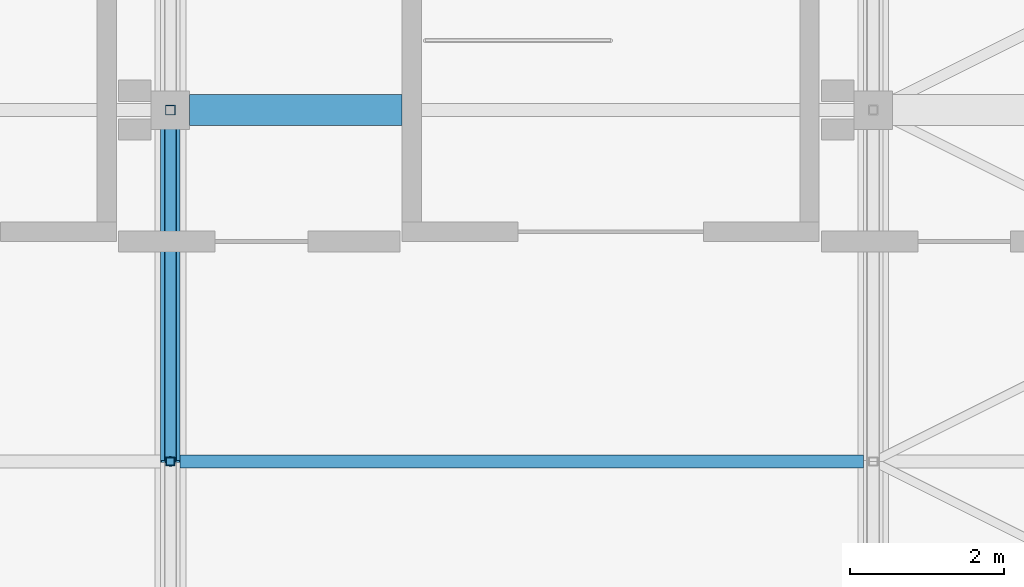
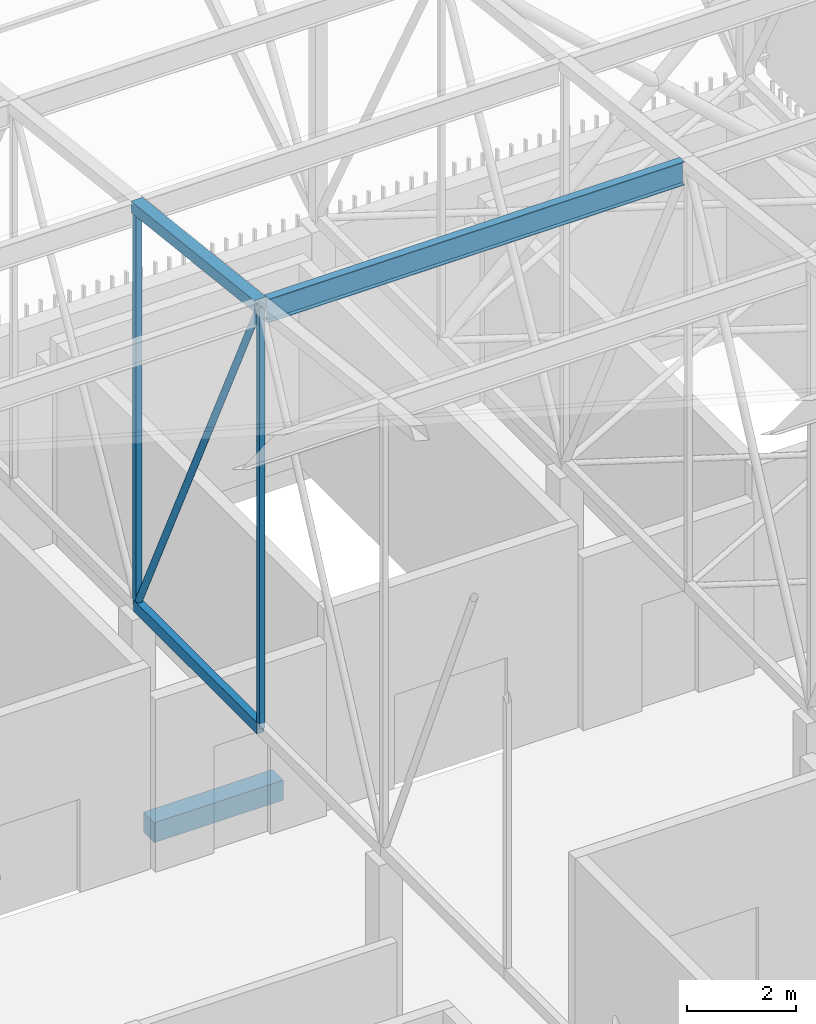
# One storey, part 395 of 500: 6 members, 1 beam.
"""IFC4 building model written with IfcOpenShell, lengths in metres."""

from ifc_helpers import new_model, si_unit, direction, frame, origin, origin_2d, place, context, subcontext, project, spatial, rectangle, hollow_rectangle, hollow_circle, i_section, extrude, material, material_profile, profile_set, type_object, element, save


model = new_model("IFC4")

# Units and contexts
model_context = context("Model", 3, precision=1e-05, world=origin(), true_north=direction((0.0, 1.0)))
body_context = subcontext(model_context, "Body", "Model", "MODEL_VIEW")
ifc_project = project(units=[si_unit("LENGTHUNIT", "METRE"), si_unit("AREAUNIT", "SQUARE_METRE"), si_unit("VOLUMEUNIT", "CUBIC_METRE"), si_unit("PLANEANGLEUNIT", "RADIAN"), si_unit("MASSUNIT", "GRAM", prefix="KILO")], contexts=[model_context])

# Site, building, storey
site_placement = place(None, origin())
site = spatial("IfcSite", under=ifc_project, at=site_placement, CompositionType="ELEMENT")
building_placement = place(site_placement, origin())
building = spatial("IfcBuilding", under=site, at=building_placement, Name="Shirokan Park Arena", CompositionType="ELEMENT")
storey_placement = place(building_placement, frame((0.0, 0.0, 29.1201171875)))
storey = spatial("IfcBuildingStorey", under=building, at=storey_placement, Name="L06", CompositionType="ELEMENT", Elevation=29.1201171875)

# Members
ifc_material_1 = material(Name="Steel ASTM A500 Grade C", Category="steel")
ifc_material_profile_1 = material_profile(ifc_material_1, hollow_rectangle(XDim=0.152099609375, YDim=0.25390625, WallThickness=0.009521484375, at=origin_2d()), Name="HSS254X152.4X9.5")
ifc_profile_set_1 = profile_set([ifc_material_profile_1], Name="Steel ASTM A500 Grade C")
member_type_1 = type_object("IfcMemberType", Name="Bottom chord HSS254X152.4X9.5", PredefinedType="CHORD", material=ifc_profile_set_1)
member_1_placement = place(storey_placement, frame((127.39990234375, 95.550048828125, 4.677001953125), z_axis=(0.0, 1.0, 0.0), x_axis=(-1.0, 0.0, 0.0)))
element("IfcMember", 1, at=member_1_placement, inside=storey, type_object=member_type_1, Name="Truss T15 bottom chord 24", PredefinedType="CHORD", context=body_context, shape_type="SweptSolid", body=[
    extrude(hollow_rectangle(XDim=0.152099609375, YDim=0.25390625, WallThickness=0.009521484375, at=origin_2d()), origin(), (0.0, 0.0, 1.0), 4.550048828125),
])
ifc_material_2 = material(Name="Steel ASTM A992", Category="steel")
ifc_material_profile_2 = material_profile(ifc_material_2, i_section(OverallWidth=0.166015625, OverallDepth=0.528076171875, WebThickness=0.009765625, FlangeThickness=0.013671875, at=origin_2d()), Name="W530X74")
ifc_profile_set_2 = profile_set([ifc_material_profile_2], Name="Steel ASTM A992")
member_type_2 = type_object("IfcMemberType", Name="Purlin W530X74", PredefinedType="PURLIN", material=ifc_profile_set_2)
member_2_placement = place(storey_placement, frame((127.527099609375, 95.550048828125, 14.0458984375), z_axis=(1.0, 0.0, 0.0), x_axis=(0.0, 1.0, 0.0)))
element("IfcMember", 2, at=member_2_placement, inside=storey, type_object=member_type_2, Name="Purlin 24 bay 15", PredefinedType="PURLIN", context=body_context, shape_type="SweptSolid", body=[
    extrude(i_section(OverallWidth=0.166015625, OverallDepth=0.528076171875, WebThickness=0.009765625, FlangeThickness=0.013671875, at=origin_2d()), origin(), (0.0, 0.0, 1.0), 8.845947265625),
])

# Beam
ifc_material_3 = material(Name="Concrete C35", Category="concrete")
ifc_material_profile_3 = material_profile(ifc_material_3, rectangle(XDim=0.39990234375, YDim=0.449951171875, at=origin_2d()), Name="400x450")
ifc_profile_set_3 = profile_set([ifc_material_profile_3], Name="Concrete C35")
beam_type = type_object("IfcBeamType", Name="RC trimmer 400x450", PredefinedType="BEAM", material=ifc_profile_set_3)
beam_placement = place(storey_placement, frame((127.650146484375, 100.10009765625, -0.425048828125), z_axis=(1.0, 0.0, 0.0), x_axis=(0.0, 1.0, 0.0)))
element("IfcBeam", 3, at=beam_placement, inside=storey, type_object=beam_type, Name="Girder 15M-16M L06", PredefinedType="BEAM", context=body_context, shape_type="SweptSolid", body=[
    extrude(rectangle(XDim=0.39990234375, YDim=0.449951171875, at=origin_2d()), origin(), (0.0, 0.0, 1.0), 2.749755859375),
])

# Members
ifc_material_profile_4 = material_profile(ifc_material_1, hollow_rectangle(XDim=0.25390625, YDim=0.25390625, WallThickness=0.009521484375, at=origin_2d()), Name="HSS254X254X9.5")
ifc_profile_set_4 = profile_set([ifc_material_profile_4], Name="Steel ASTM A500 Grade C")
member_type_3 = type_object("IfcMemberType", Name="Top chord HSS254X254X9.5", PredefinedType="CHORD", material=ifc_profile_set_4)
member_3_placement = place(storey_placement, frame((127.39990234375, 95.550048828125, 14.182861328125), z_axis=(0.0, 0.993532328996, -0.113549598152), x_axis=(-1.0, 0.0, 0.0)))
element("IfcMember", 4, at=member_3_placement, inside=storey, type_object=member_type_3, Name="Truss T15 top chord 24", PredefinedType="CHORD", context=body_context, shape_type="SweptSolid", body=[
    extrude(hollow_rectangle(XDim=0.25390625, YDim=0.25390625, WallThickness=0.009521484375, at=origin_2d()), origin(), (0.0, 0.0, 1.0), 4.57958984375),
])
ifc_material_profile_5 = material_profile(ifc_material_1, hollow_circle(Radius=0.070556640625, WallThickness=0.006591796875, at=origin_2d()), Name="HSS141.3X6.6")
ifc_profile_set_5 = profile_set([ifc_material_profile_5], Name="Steel ASTM A500 Grade C")
member_type_4 = type_object("IfcMemberType", Name="Truss diagonal HSS141.3X6.6", PredefinedType="BRACE", material=ifc_profile_set_5)
member_4_placement = place(storey_placement, frame((127.39990234375, 95.550048828125, 14.182861328125), z_axis=(0.0, 0.431746476626, -0.901994999942), x_axis=(-1.0, 0.0, 0.0)))
element("IfcMember", 5, at=member_4_placement, inside=storey, type_object=member_type_4, Name="Truss T15 diagonal 24", PredefinedType="BRACE", context=body_context, shape_type="SweptSolid", body=[
    extrude(hollow_circle(Radius=0.070556640625, WallThickness=0.006591796875, at=origin_2d()), origin(), (0.0, 0.0, 1.0), 10.538818359375),
])
ifc_material_profile_6 = material_profile(ifc_material_1, hollow_rectangle(XDim=0.114013671875, YDim=0.114013671875, WallThickness=0.00634765625, at=origin_2d()), Name="HSS114.3X114.3X6.4")
ifc_profile_set_6 = profile_set([ifc_material_profile_6], Name="Steel ASTM A500 Grade C")
member_type_5 = type_object("IfcMemberType", Name="Truss post HSS114.3X114.3X6.4", PredefinedType="POST", material=ifc_profile_set_6)
member_5_placement = place(storey_placement, frame((127.39990234375, 95.550048828125, 4.677001953125), z_axis=(0.0, 0.0, 1.0), x_axis=(1.0, 0.0, 0.0)))
element("IfcMember", 6, at=member_5_placement, inside=storey, type_object=member_type_5, Name="Truss T15 post 24", PredefinedType="POST", context=body_context, shape_type="SweptSolid", body=[
    extrude(hollow_rectangle(XDim=0.114013671875, YDim=0.114013671875, WallThickness=0.00634765625, at=origin_2d()), origin(), (0.0, 0.0, 1.0), 9.505859375),
])
ifc_material_profile_7 = material_profile(ifc_material_1, hollow_rectangle(XDim=0.126953125, YDim=0.126953125, WallThickness=0.008056640625, at=origin_2d()), Name="HSS127X127X7.9")
ifc_profile_set_7 = profile_set([ifc_material_profile_7], Name="Steel ASTM A500 Grade C")
member_type_6 = type_object("IfcMemberType", Name="Truss post HSS127X127X7.9", PredefinedType="POST", material=ifc_profile_set_7)
member_6_placement = place(storey_placement, frame((127.39990234375, 100.10009765625, 4.677001953125), z_axis=(0.0, 0.0, 1.0), x_axis=(1.0, 0.0, 0.0)))
element("IfcMember", 7, at=member_6_placement, inside=storey, type_object=member_type_6, Name="Truss T15 post 25", PredefinedType="POST", context=body_context, shape_type="SweptSolid", body=[
    extrude(hollow_rectangle(XDim=0.126953125, YDim=0.126953125, WallThickness=0.008056640625, at=origin_2d()), origin(), (0.0, 0.0, 1.0), 8.98583984375),
])

save(model, "model.ifc")
